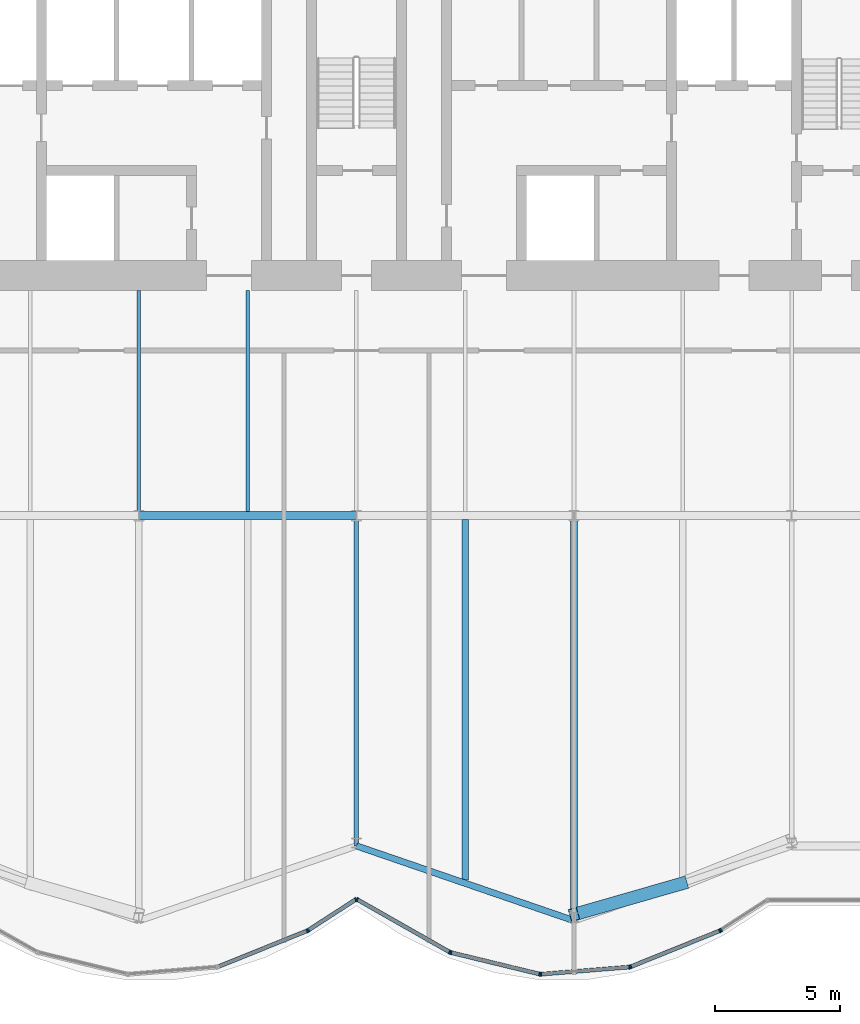
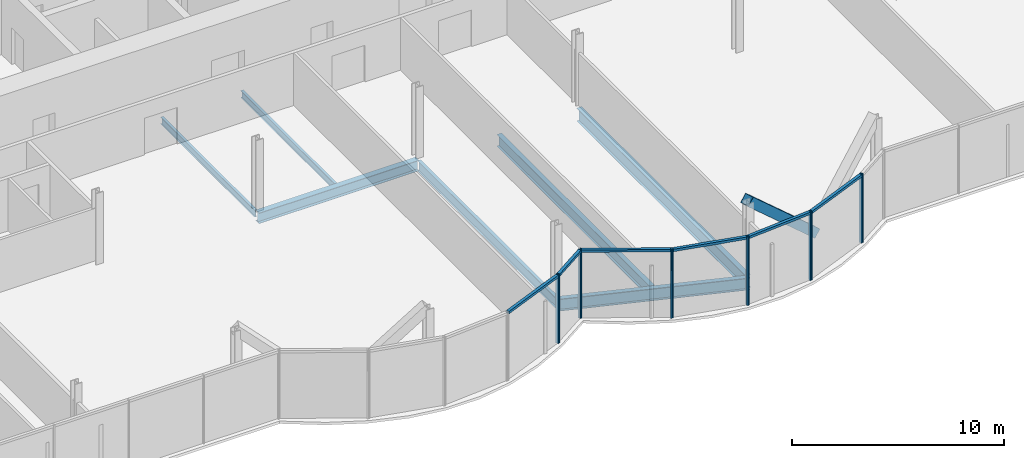
# One storey, part 7 of 21: 19 members, 7 beams, 2 elements without a shape of their own.
"""IFC4 building model written with IfcOpenShell, lengths in metres."""

from ifc_helpers import new_model, si_unit, direction, frame, origin, origin_2d, place, context, subcontext, project, spatial, rectangle, hollow_rectangle, i_section, extrude, material, material_profile, profile_set, type_object, element, aggregate, save


model = new_model("IFC4")

# Units and contexts
model_context = context("Model", 3, precision=1e-05, world=origin(), true_north=direction((0.0, 1.0)))
body_context = subcontext(model_context, "Body", "Model", "MODEL_VIEW")
ifc_project = project(units=[si_unit("LENGTHUNIT", "METRE"), si_unit("AREAUNIT", "SQUARE_METRE"), si_unit("VOLUMEUNIT", "CUBIC_METRE"), si_unit("PLANEANGLEUNIT", "RADIAN"), si_unit("MASSUNIT", "GRAM", prefix="KILO")], contexts=[model_context])

# Site, building, storey
site_placement = place(None, origin())
site = spatial("IfcSite", under=ifc_project, at=site_placement, CompositionType="ELEMENT")
building_placement = place(site_placement, origin())
building = spatial("IfcBuilding", under=site, at=building_placement, Name="Bicima Exchange Tower", CompositionType="ELEMENT")
storey_placement = place(building_placement, frame((0.0, 0.0, 114.5)))
storey = spatial("IfcBuildingStorey", under=building, at=storey_placement, Name="L24", CompositionType="ELEMENT", Elevation=114.5)

# Beams
ifc_material_1 = material(Name="Steel ASTM A992 Gr 50", Category="steel")
ifc_material_profile_1 = material_profile(ifc_material_1, i_section(OverallWidth=0.140380859375, OverallDepth=0.40380859375, WebThickness=0.007080078125, FlangeThickness=0.01123046875, at=origin_2d()))
ifc_profile_set_1 = profile_set([ifc_material_profile_1], Name="Steel ASTM A992 Gr 50")
beam_type_1 = type_object("IfcBeamType", Name="Floor beam W16x31", PredefinedType="JOIST", material=ifc_profile_set_1)
for number, where, z_axis, x_axis, name in (
    (1, (-8.699951171875, -13.0, -0.351806640625), (0.0, -1.0, 0.0), (1.0, 0.0, 0.0), "Floor beam"),
    (2, (-4.35009765625, -13.0, -0.351806640625), (0.0, -1.0, 0.0), (1.0, 0.0, 0.0), "Floor beam"),
):
    element("IfcBeam", number, at=place(storey_placement, frame(where, z_axis=z_axis, x_axis=x_axis)), inside=storey, type_object=beam_type_1, Name=name, PredefinedType="JOIST", context=body_context, shape_type="SweptSolid", body=[
        extrude(i_section(OverallWidth=0.140380859375, OverallDepth=0.40380859375, WebThickness=0.007080078125, FlangeThickness=0.01123046875, at=origin_2d()), origin(), (0.0, 0.0, 1.0), 8.83740234375),
    ])
ifc_material_profile_2 = material_profile(ifc_material_1, i_section(OverallWidth=0.177978515625, OverallDepth=0.599365234375, WebThickness=0.010009765625, FlangeThickness=0.012939453125, at=origin_2d()))
ifc_profile_set_2 = profile_set([ifc_material_profile_2], Name="Steel ASTM A992 Gr 50")
beam_type_2 = type_object("IfcBeamType", Name="Floor beam W24x55", PredefinedType="JOIST", material=ifc_profile_set_2)
beam_1_placement = place(storey_placement, frame((0.0, -22.16259765625, -0.44970703125), z_axis=(0.0, -1.0, 0.0), x_axis=(1.0, 0.0, 0.0)))
element("IfcBeam", 3, at=beam_1_placement, inside=storey, type_object=beam_type_2, Name="Floor beam", PredefinedType="JOIST", context=body_context, shape_type="SweptSolid", body=[
    extrude(i_section(OverallWidth=0.177978515625, OverallDepth=0.599365234375, WebThickness=0.010009765625, FlangeThickness=0.012939453125, at=origin_2d()), origin(), (0.0, 0.0, 1.0), 13.04541015625),
])
ifc_material_profile_3 = material_profile(ifc_material_1, i_section(OverallWidth=0.25390625, OverallDepth=0.67822265625, WebThickness=0.01171875, FlangeThickness=0.016357421875, at=origin_2d()))
ifc_profile_set_3 = profile_set([ifc_material_profile_3], Name="Steel ASTM A992 Gr 50")
beam_type_3 = type_object("IfcBeamType", Name="Floor beam W27x84", PredefinedType="JOIST", material=ifc_profile_set_3)
beam_2_placement = place(storey_placement, frame((4.35009765625, -22.16259765625, -0.489013671875), z_axis=(0.0, -1.0, 0.0), x_axis=(1.0, 0.0, 0.0)))
element("IfcBeam", 4, at=beam_2_placement, inside=storey, type_object=beam_type_3, Name="Floor beam", PredefinedType="JOIST", context=body_context, shape_type="SweptSolid", body=[
    extrude(i_section(OverallWidth=0.25390625, OverallDepth=0.67822265625, WebThickness=0.01171875, FlangeThickness=0.016357421875, at=origin_2d()), origin(), (0.0, 0.0, 1.0), 14.4052734375),
])
ifc_material_profile_4 = material_profile(ifc_material_1, i_section(OverallWidth=0.2666015625, OverallDepth=0.75439453125, WebThickness=0.01318359375, FlangeThickness=0.01708984375, at=origin_2d()))
ifc_profile_set_4 = profile_set([ifc_material_profile_4], Name="Steel ASTM A992 Gr 50")
beam_type_4 = type_object("IfcBeamType", Name="Floor beam W30x99", PredefinedType="JOIST", material=ifc_profile_set_4)
beam_3_placement = place(storey_placement, frame((8.699951171875, -22.16259765625, -0.527099609375), z_axis=(0.0, -1.0, 0.0), x_axis=(1.0, 0.0, 0.0)))
element("IfcBeam", 5, at=beam_3_placement, inside=storey, type_object=beam_type_4, Name="Floor beam", PredefinedType="JOIST", context=body_context, shape_type="SweptSolid", body=[
    extrude(i_section(OverallWidth=0.2666015625, OverallDepth=0.75439453125, WebThickness=0.01318359375, FlangeThickness=0.01708984375, at=origin_2d()), origin(), (0.0, 0.0, 1.0), 15.90087890625),
])
ifc_material_profile_5 = material_profile(ifc_material_1, i_section(OverallWidth=0.256591796875, OverallDepth=0.693359375, WebThickness=0.014404296875, FlangeThickness=0.023681640625, at=origin_2d()))
ifc_profile_set_5 = profile_set([ifc_material_profile_5], Name="Steel ASTM A992 Gr 50")
beam_type_5 = type_object("IfcBeamType", Name="Front girder W27x114", PredefinedType="BEAM", material=ifc_profile_set_5)
beam_4_placement = place(storey_placement, frame((0.0, -35.2080078125, -0.49658203125), z_axis=(0.945666456746, -0.325138359143, 0.0), x_axis=(0.325138359143, 0.945666456746, 0.0)))
element("IfcBeam", 6, at=beam_4_placement, inside=storey, type_object=beam_type_5, Name="Front girder", PredefinedType="BEAM", context=body_context, shape_type="SweptSolid", body=[
    extrude(i_section(OverallWidth=0.256591796875, OverallDepth=0.693359375, WebThickness=0.014404296875, FlangeThickness=0.023681640625, at=origin_2d()), origin(), (0.0, 0.0, 1.0), 9.19970703125),
])

# Curtain wall, members
ifc_material_2 = material(Name="Anodised bronze aluminium", Category="aluminium")
curtain_wall_type = type_object("IfcCurtainWallType", Name="Front glass wall", PredefinedType="NOTDEFINED", material=ifc_material_2)
curtain_wall_1_placement = place(storey_placement, origin())
curtain_wall_1 = element("IfcCurtainWall", 7, at=curtain_wall_1_placement, inside=storey, type_object=curtain_wall_type, Name="Front glass wall L24 run 6", PredefinedType="NOTDEFINED")
ifc_material_profile_6 = material_profile(ifc_material_2, rectangle(XDim=0.159912109375, YDim=0.06005859375, at=origin_2d()))
ifc_profile_set_6 = profile_set([ifc_material_profile_6], Name="Anodised bronze aluminium")
member_type_1 = type_object("IfcMemberType", Name="Front glass wall mullion 60 x 160", PredefinedType="MULLION", material=ifc_profile_set_6)
member_1_placement = place(storey_placement, frame((-1.97412109375, -38.603515625, 0.0), z_axis=(0.0, 0.0, 1.0), x_axis=(-0.374705304, 0.92714396679, 0.0)))
member_1 = element("IfcMember", 8, at=member_1_placement, type_object=member_type_1, Name="Front glass wall mullion 2", PredefinedType="MULLION", context=body_context, shape_type="SweptSolid", body=[
    extrude(rectangle(XDim=0.159912109375, YDim=0.06005859375, at=origin_2d()), origin(), (0.0, 0.0, 1.0), 3.949951171875),
])
member_2_placement = place(storey_placement, frame((-1.921142578125, -38.576171875, 0.0), z_axis=(0.0, 0.0, 1.0), x_axis=(-0.542897457326, 0.839798994301, 0.0)))
member_2 = element("IfcMember", 9, at=member_2_placement, type_object=member_type_1, Name="Front glass wall mullion 1", PredefinedType="MULLION", context=body_context, shape_type="SweptSolid", body=[
    extrude(rectangle(XDim=0.159912109375, YDim=0.06005859375, at=origin_2d()), origin(), (0.0, 0.0, 1.0), 3.949951171875),
])
member_3_placement = place(storey_placement, frame((-0.025146484375, -37.350341796875, 0.0), z_axis=(0.0, 0.0, 1.0), x_axis=(-0.542897457326, 0.839798994301, 0.0)))
member_3 = element("IfcMember", 10, at=member_3_placement, type_object=member_type_1, Name="Front glass wall mullion 2", PredefinedType="MULLION", context=body_context, shape_type="SweptSolid", body=[
    extrude(rectangle(XDim=0.159912109375, YDim=0.06005859375, at=origin_2d()), origin(), (0.0, 0.0, 1.0), 3.949951171875),
])

curtain_wall_2_placement = place(storey_placement, origin())
curtain_wall_2 = element("IfcCurtainWall", 11, at=curtain_wall_2_placement, inside=storey, type_object=curtain_wall_type, Name="Front glass wall L24 run 11", PredefinedType="NOTDEFINED")
member_4_placement = place(storey_placement, frame((0.026123046875, -37.34912109375, 0.0), z_axis=(0.0, 0.0, 1.0), x_axis=(0.494330311331, 0.869274147378, 0.0)))
member_4 = element("IfcMember", 12, at=member_4_placement, type_object=member_type_1, Name="Front glass wall mullion 1", PredefinedType="MULLION", context=body_context, shape_type="SweptSolid", body=[
    extrude(rectangle(XDim=0.159912109375, YDim=0.06005859375, at=origin_2d()), origin(), (0.0, 0.0, 1.0), 3.949951171875),
])
member_5_placement = place(storey_placement, frame((3.7265625, -39.453369140625, 0.0), z_axis=(0.0, 0.0, 1.0), x_axis=(0.494330311331, 0.869274147378, 0.0)))
member_5 = element("IfcMember", 13, at=member_5_placement, type_object=member_type_1, Name="Front glass wall mullion 2", PredefinedType="MULLION", context=body_context, shape_type="SweptSolid", body=[
    extrude(rectangle(XDim=0.159912109375, YDim=0.06005859375, at=origin_2d()), origin(), (0.0, 0.0, 1.0), 3.949951171875),
])
member_6_placement = place(storey_placement, frame((3.781982421875, -39.475341796875, 0.0), z_axis=(0.0, 0.0, 1.0), x_axis=(0.235681529503, 0.971830343553, 0.0)))
member_6 = element("IfcMember", 14, at=member_6_placement, type_object=member_type_1, Name="Front glass wall mullion 1", PredefinedType="MULLION", context=body_context, shape_type="SweptSolid", body=[
    extrude(rectangle(XDim=0.159912109375, YDim=0.06005859375, at=origin_2d()), origin(), (0.0, 0.0, 1.0), 3.949951171875),
])
member_7_placement = place(storey_placement, frame((7.322509765625, -40.333984375, 0.0), z_axis=(0.0, 0.0, 1.0), x_axis=(0.235681529503, 0.971830343553, 0.0)))
member_7 = element("IfcMember", 15, at=member_7_placement, type_object=member_type_1, Name="Front glass wall mullion 2", PredefinedType="MULLION", context=body_context, shape_type="SweptSolid", body=[
    extrude(rectangle(XDim=0.159912109375, YDim=0.06005859375, at=origin_2d()), origin(), (0.0, 0.0, 1.0), 3.949951171875),
])
member_8_placement = place(storey_placement, frame((7.381591796875, -40.338623046875, 0.0), z_axis=(0.0, 0.0, 1.0), x_axis=(-0.080588612633, 0.99674744821, 0.0)))
member_8 = element("IfcMember", 16, at=member_8_placement, type_object=member_type_1, Name="Front glass wall mullion 1", PredefinedType="MULLION", context=body_context, shape_type="SweptSolid", body=[
    extrude(rectangle(XDim=0.159912109375, YDim=0.06005859375, at=origin_2d()), origin(), (0.0, 0.0, 1.0), 3.949951171875),
])
member_9_placement = place(storey_placement, frame((10.916015625, -40.052734375, 0.0), z_axis=(0.0, 0.0, 1.0), x_axis=(-0.080588612633, 0.99674744821, 0.0)))
member_9 = element("IfcMember", 17, at=member_9_placement, type_object=member_type_1, Name="Front glass wall mullion 2", PredefinedType="MULLION", context=body_context, shape_type="SweptSolid", body=[
    extrude(rectangle(XDim=0.159912109375, YDim=0.06005859375, at=origin_2d()), origin(), (0.0, 0.0, 1.0), 3.949951171875),
])
member_10_placement = place(storey_placement, frame((10.973876953125, -40.039306640625, 0.0), z_axis=(0.0, 0.0, 1.0), x_axis=(-0.374705304, 0.92714396679, 0.0)))
member_10 = element("IfcMember", 18, at=member_10_placement, type_object=member_type_1, Name="Front glass wall mullion 1", PredefinedType="MULLION", context=body_context, shape_type="SweptSolid", body=[
    extrude(rectangle(XDim=0.159912109375, YDim=0.06005859375, at=origin_2d()), origin(), (0.0, 0.0, 1.0), 3.949951171875),
])
member_11_placement = place(storey_placement, frame((14.52587890625, -38.603515625, 0.0), z_axis=(0.0, 0.0, 1.0), x_axis=(-0.374705304, 0.92714396679, 0.0)))
member_11 = element("IfcMember", 19, at=member_11_placement, type_object=member_type_1, Name="Front glass wall mullion 2", PredefinedType="MULLION", context=body_context, shape_type="SweptSolid", body=[
    extrude(rectangle(XDim=0.159912109375, YDim=0.06005859375, at=origin_2d()), origin(), (0.0, 0.0, 1.0), 3.949951171875),
])
member_12_placement = place(storey_placement, frame((14.578857421875, -38.576171875, 0.0), z_axis=(0.0, 0.0, 1.0), x_axis=(-0.542909183079, 0.839791413941, 0.0)))
member_12 = element("IfcMember", 20, at=member_12_placement, type_object=member_type_1, Name="Front glass wall mullion 1", PredefinedType="MULLION", context=body_context, shape_type="SweptSolid", body=[
    extrude(rectangle(XDim=0.159912109375, YDim=0.06005859375, at=origin_2d()), origin(), (0.0, 0.0, 1.0), 3.949951171875),
])

# Member
ifc_material_profile_7 = material_profile(ifc_material_2, rectangle(XDim=0.159912109375, YDim=0.139892578125, at=origin_2d()))
ifc_profile_set_7 = profile_set([ifc_material_profile_7], Name="Anodised bronze aluminium")
member_type_2 = type_object("IfcMemberType", Name="Front glass wall transom 140 x 160", PredefinedType="USERDEFINED", material=ifc_profile_set_7)
member_13_placement = place(storey_placement, frame((-5.498291015625, -40.02783203125, 3.8798828125), z_axis=(0.927140215882, 0.374714584842, 0.0), x_axis=(-0.374714584842, 0.927140215882, 0.0)))
member_13 = element("IfcMember", 21, at=member_13_placement, type_object=member_type_2, Name="Front glass wall transom 1.1", ObjectType="TRANSOM", PredefinedType="USERDEFINED", context=body_context, shape_type="SweptSolid", body=[
    extrude(rectangle(XDim=0.159912109375, YDim=0.139892578125, at=origin_2d()), origin(), (0.0, 0.0, 1.0), 3.77099609375),
])

member_14_placement = place(storey_placement, frame((-1.89599609375, -38.559814453125, 3.8798828125), z_axis=(0.839811483481, 0.542878137536, 0.0), x_axis=(-0.542878137536, 0.839811483481, 0.0)))
member_14 = element("IfcMember", 22, at=member_14_placement, type_object=member_type_2, Name="Front glass wall transom 1.1", ObjectType="TRANSOM", PredefinedType="USERDEFINED", context=body_context, shape_type="SweptSolid", body=[
    extrude(rectangle(XDim=0.159912109375, YDim=0.139892578125, at=origin_2d()), origin(), (0.0, 0.0, 1.0), 2.19775390625),
])

aggregate(curtain_wall_1, [member_1, member_13, member_2, member_3, member_14])

member_15_placement = place(storey_placement, frame((0.05224609375, -37.36376953125, 3.8798828125), z_axis=(0.869265121745, -0.494346182466, 0.0), x_axis=(0.494346182466, 0.869265121745, 0.0)))
member_15 = element("IfcMember", 23, at=member_15_placement, type_object=member_type_2, Name="Front glass wall transom 1.1", ObjectType="TRANSOM", PredefinedType="USERDEFINED", context=body_context, shape_type="SweptSolid", body=[
    extrude(rectangle(XDim=0.159912109375, YDim=0.139892578125, at=origin_2d()), origin(), (0.0, 0.0, 1.0), 4.19677734375),
])

member_16_placement = place(storey_placement, frame((3.81103515625, -39.482421875, 3.8798828125), z_axis=(0.971833557815, -0.235668275132, 0.0), x_axis=(0.235668275132, 0.971833557815, 0.0)))
member_16 = element("IfcMember", 24, at=member_16_placement, type_object=member_type_2, Name="Front glass wall transom 1.1", ObjectType="TRANSOM", PredefinedType="USERDEFINED", context=body_context, shape_type="SweptSolid", body=[
    extrude(rectangle(XDim=0.159912109375, YDim=0.139892578125, at=origin_2d()), origin(), (0.0, 0.0, 1.0), 3.583251953125),
])

member_17_placement = place(storey_placement, frame((7.41162109375, -40.336181640625, 3.8798828125), z_axis=(0.9967456465, 0.080610893699, 0.0), x_axis=(-0.080610893699, 0.9967456465, 0.0)))
member_17 = element("IfcMember", 25, at=member_17_placement, type_object=member_type_2, Name="Front glass wall transom 1.1", ObjectType="TRANSOM", PredefinedType="USERDEFINED", context=body_context, shape_type="SweptSolid", body=[
    extrude(rectangle(XDim=0.159912109375, YDim=0.139892578125, at=origin_2d()), origin(), (0.0, 0.0, 1.0), 3.48583984375),
])

member_18_placement = place(storey_placement, frame((11.001708984375, -40.02783203125, 3.8798828125), z_axis=(0.927140215882, 0.374714584842, 0.0), x_axis=(-0.374714584842, 0.927140215882, 0.0)))
member_18 = element("IfcMember", 26, at=member_18_placement, type_object=member_type_2, Name="Front glass wall transom 1.1", ObjectType="TRANSOM", PredefinedType="USERDEFINED", context=body_context, shape_type="SweptSolid", body=[
    extrude(rectangle(XDim=0.159912109375, YDim=0.139892578125, at=origin_2d()), origin(), (0.0, 0.0, 1.0), 3.77099609375),
])

aggregate(curtain_wall_2, [member_4, member_5, member_15, member_6, member_7, member_16, member_8, member_9, member_17, member_10, member_11, member_18, member_12])

ifc_material_3 = material(Name="Steel ASTM A572 Gr 50", Category="steel")
ifc_material_profile_8 = material_profile(ifc_material_3, hollow_rectangle(XDim=0.508056640625, YDim=0.508056640625, WallThickness=0.0146484375, at=origin_2d()))
ifc_profile_set_8 = profile_set([ifc_material_profile_8], Name="Steel ASTM A572 Gr 50")
member_type_3 = type_object("IfcMemberType", Name="Mega brace HSS20x20x5/8", PredefinedType="BRACE", material=ifc_profile_set_8)
member_19_placement = place(storey_placement, frame((13.050048828125, -36.70361328125, 0.0), z_axis=(-0.712266893938, -0.204909647453, 0.671332933931), x_axis=(0.276473064615, -0.961021667052, 0.0)))
element("IfcMember", 27, at=member_19_placement, inside=storey, type_object=member_type_3, Name="Mega brace front", PredefinedType="BRACE", context=body_context, shape_type="SweptSolid", body=[
    extrude(hollow_rectangle(XDim=0.508056640625, YDim=0.508056640625, WallThickness=0.0146484375, at=origin_2d()), origin(), (0.0, 0.0, 1.0), 6.107421875),
])

# Beam
ifc_material_profile_9 = material_profile(ifc_material_1, i_section(OverallWidth=0.3251953125, OverallDepth=0.612060546875, WebThickness=0.0126953125, FlangeThickness=0.01904296875, at=origin_2d()))
ifc_profile_set_9 = profile_set([ifc_material_profile_9], Name="Steel ASTM A992 Gr 50")
beam_type_6 = type_object("IfcBeamType", Name="Row girder W24x104", PredefinedType="BEAM", material=ifc_profile_set_9)
beam_5_placement = place(storey_placement, frame((-8.699951171875, -22.0, -0.4560546875), z_axis=(1.0, 0.0, 0.0), x_axis=(0.0, 1.0, 0.0)))
element("IfcBeam", 28, at=beam_5_placement, inside=storey, type_object=beam_type_6, Name="Row girder", PredefinedType="BEAM", context=body_context, shape_type="SweptSolid", body=[
    extrude(i_section(OverallWidth=0.3251953125, OverallDepth=0.612060546875, WebThickness=0.0126953125, FlangeThickness=0.01904296875, at=origin_2d()), origin(), (0.0, 0.0, 1.0), 8.699951171875),
])

save(model, "model.ifc")
